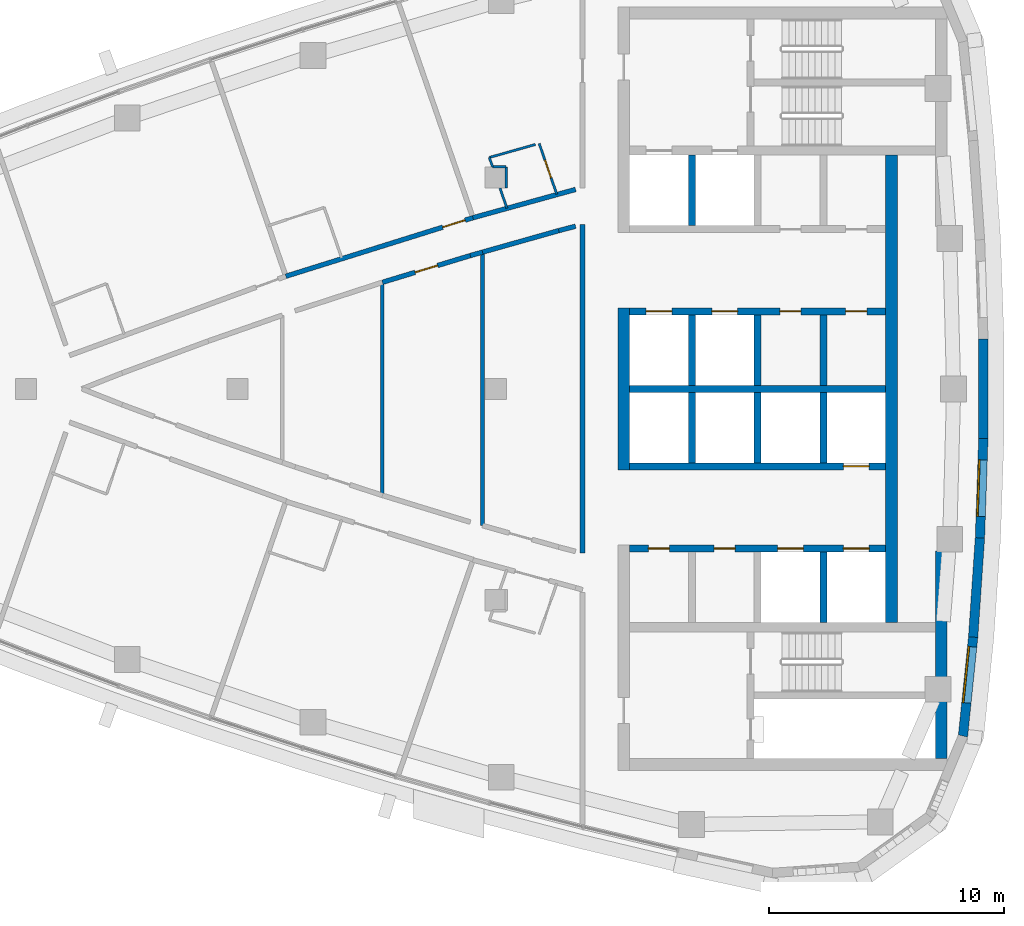
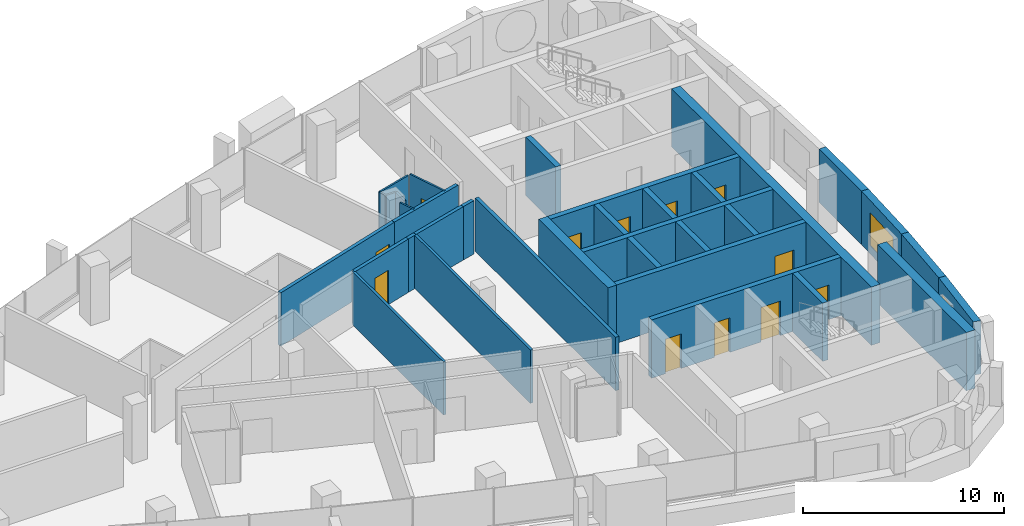
# One storey, part 9 of 15: 34 walls, 12 doors, 2 windows, 14 openings.
"""IFC4 building model written with IfcOpenShell, lengths in metres."""

from ifc_helpers import new_model, si_unit, direction, frame, frame_2d, origin, place, context, subcontext, project, spatial, polyline, rectangle, outline, extrude, material, layer, layer_set, type_object, element, fill, save


model = new_model("IFC4")

# Units and contexts
model_context = context("Model", 3, precision=1e-05, world=origin(), true_north=direction((0.0, 1.0)))
body_context = subcontext(model_context, "Body", "Model", "MODEL_VIEW")
ifc_project = project(units=[si_unit("LENGTHUNIT", "METRE"), si_unit("AREAUNIT", "SQUARE_METRE"), si_unit("VOLUMEUNIT", "CUBIC_METRE"), si_unit("PLANEANGLEUNIT", "RADIAN"), si_unit("MASSUNIT", "GRAM", prefix="KILO")], contexts=[model_context])

# Site, building, storey
site_placement = place(None, origin())
site = spatial("IfcSite", under=ifc_project, at=site_placement, CompositionType="ELEMENT")
building_placement = place(site_placement, origin())
building = spatial("IfcBuilding", under=site, at=building_placement, Name="Ostrand Prow Hotel Tower", CompositionType="ELEMENT")
storey_placement = place(building_placement, frame((0.0, 0.0, 292.75)))
storey = spatial("IfcBuildingStorey", under=building, at=storey_placement, Name="L74", CompositionType="ELEMENT", Elevation=292.75)

# Wall
ifc_material_1 = material(Name="Concrete C50/60", Category="concrete")
ifc_layer_1 = layer(ifc_material_1, 0.300048828125)
ifc_layer_set_1 = layer_set([ifc_layer_1], Name="Concrete C50/60")
wall_type_1 = type_object("IfcWallType", Name="Core wall 300 C50/60", PredefinedType="SHEAR", material=ifc_layer_set_1)
wall_1_placement = place(storey_placement, frame((50.699951171875, 0.0, 0.0), z_axis=(0.0, 0.0, 1.0), x_axis=(1.0, 0.0, 0.0)))
element("IfcWall", 1, at=wall_1_placement, inside=storey, type_object=wall_type_1, Name="Core wall PW-C", PredefinedType="SHEAR", context=body_context, shape_type="SweptSolid", body=[
    extrude(rectangle(XDim=10.900146484375, YDim=0.300048828125, at=frame_2d((5.4501953125, 0.0))), origin(), (0.0, 0.0, 1.0), 3.550048828125),
])

# Wall, openings, doors
wall_2_placement = place(storey_placement, frame((50.699951171875, 3.300048828125, 0.0), z_axis=(0.0, 0.0, 1.0), x_axis=(1.0, 0.0, 0.0)))
wall_2 = element("IfcWall", 2, at=wall_2_placement, inside=storey, type_object=wall_type_1, Name="Core wall PW-L1-N", PredefinedType="SHEAR", context=body_context, shape_type="SweptSolid", body=[
    extrude(rectangle(XDim=10.900146484375, YDim=0.300048828125, at=frame_2d((5.4501953125, 0.0))), origin(), (0.0, 0.0, 1.0), 3.550048828125),
])
opening_1_placement = place(wall_2_placement, frame((0.699951171875, 0.0, 0.0)))
opening_1 = element("IfcOpeningElement", 3, at=opening_1_placement, cuts=wall_2, Name="Opening LD", PredefinedType="OPENING", context=body_context, shape_type="SweptSolid", body=[
    extrude(rectangle(XDim=1.10009765625, YDim=2.10009765625, at=frame_2d((0.550048828125, 1.050048828125))), frame((0.0, 0.159912109375, 0.0), z_axis=(0.0, -1.0, 0.0), x_axis=(1.0, 0.0, 0.0)), (0.0, 0.0, 1.0), 0.320068359375),
])
opening_2_placement = place(wall_2_placement, frame((3.5, 0.0, 0.0)))
opening_2 = element("IfcOpeningElement", 4, at=opening_2_placement, cuts=wall_2, Name="Opening LD", PredefinedType="OPENING", context=body_context, shape_type="SweptSolid", body=[
    extrude(rectangle(XDim=1.10009765625, YDim=2.10009765625, at=frame_2d((0.550048828125, 1.050048828125))), frame((0.0, 0.159912109375, 0.0), z_axis=(0.0, -1.0, 0.0), x_axis=(1.0, 0.0, 0.0)), (0.0, 0.0, 1.0), 0.320068359375),
])
opening_3_placement = place(wall_2_placement, frame((6.39990234375, 0.0, 0.0)))
opening_3 = element("IfcOpeningElement", 5, at=opening_3_placement, cuts=wall_2, Name="Opening FD2", PredefinedType="OPENING", context=body_context, shape_type="SweptSolid", body=[
    extrude(rectangle(XDim=0.89990234375, YDim=2.10009765625, at=frame_2d((0.449951171875, 1.050048828125))), frame((0.0, 0.159912109375, 0.0), z_axis=(0.0, -1.0, 0.0), x_axis=(1.0, 0.0, 0.0)), (0.0, 0.0, 1.0), 0.320068359375),
])
opening_4_placement = place(wall_2_placement, frame((9.199951171875, 0.0, 0.0)))
opening_4 = element("IfcOpeningElement", 6, at=opening_4_placement, cuts=wall_2, Name="Opening FD2", PredefinedType="OPENING", context=body_context, shape_type="SweptSolid", body=[
    extrude(rectangle(XDim=0.89990234375, YDim=2.10009765625, at=frame_2d((0.449951171875, 1.050048828125))), frame((0.0, 0.159912109375, 0.0), z_axis=(0.0, -1.0, 0.0), x_axis=(1.0, 0.0, 0.0)), (0.0, 0.0, 1.0), 0.320068359375),
])
ifc_material_2 = material(Name="Steel fire door", Category="steel")
door_type_1 = type_object("IfcDoorType", Name="Fire door 900 EI120", OperationType="SINGLE_SWING_LEFT", PredefinedType="DOOR", material=ifc_material_2)
door_1_placement = place(opening_3_placement, origin())
door_1 = element("IfcDoor", 7, at=door_1_placement, inside=storey, type_object=door_type_1, Name="DOOR", OperationType="SINGLE_SWING_LEFT", OverallHeight=2.10009765625, OverallWidth=0.89990234375, PredefinedType="DOOR", context=body_context, shape_type="SweptSolid", body=[
    extrude(rectangle(XDim=0.89990234375, YDim=2.10009765625, at=frame_2d((0.449951171875, 1.050048828125))), frame((0.0, 0.02490234375, 0.0), z_axis=(0.0, -1.0, 0.0), x_axis=(1.0, 0.0, 0.0)), (0.0, 0.0, 1.0), 0.050048828125),
])
fill(opening_3, door_1)
door_2_placement = place(opening_4_placement, origin())
door_2 = element("IfcDoor", 8, at=door_2_placement, inside=storey, type_object=door_type_1, Name="DOOR", OperationType="SINGLE_SWING_LEFT", OverallHeight=2.10009765625, OverallWidth=0.89990234375, PredefinedType="DOOR", context=body_context, shape_type="SweptSolid", body=[
    extrude(rectangle(XDim=0.89990234375, YDim=2.10009765625, at=frame_2d((0.449951171875, 1.050048828125))), frame((0.0, 0.02490234375, 0.0), z_axis=(0.0, -1.0, 0.0), x_axis=(1.0, 0.0, 0.0)), (0.0, 0.0, 1.0), 0.050048828125),
])
fill(opening_4, door_2)
ifc_material_3 = material(Name="Stainless steel door", Category="steel")
door_type_2 = type_object("IfcDoorType", Name="Lift landing door 1100", OperationType="DOUBLE_DOOR_SLIDING", PredefinedType="DOOR", material=ifc_material_3)
door_3_placement = place(opening_1_placement, origin())
door_3 = element("IfcDoor", 9, at=door_3_placement, inside=storey, type_object=door_type_2, Name="LIFT LANDING DOOR", OperationType="DOUBLE_DOOR_SLIDING", OverallHeight=2.10009765625, OverallWidth=1.10009765625, PredefinedType="DOOR", context=body_context, shape_type="SweptSolid", body=[
    extrude(rectangle(XDim=1.10009765625, YDim=2.10009765625, at=frame_2d((0.550048828125, 1.050048828125))), frame((0.0, 0.02490234375, 0.0), z_axis=(0.0, -1.0, 0.0), x_axis=(1.0, 0.0, 0.0)), (0.0, 0.0, 1.0), 0.050048828125),
])
fill(opening_1, door_3)
door_4_placement = place(opening_2_placement, origin())
door_4 = element("IfcDoor", 10, at=door_4_placement, inside=storey, type_object=door_type_2, Name="LIFT LANDING DOOR", OperationType="DOUBLE_DOOR_SLIDING", OverallHeight=2.10009765625, OverallWidth=1.10009765625, PredefinedType="DOOR", context=body_context, shape_type="SweptSolid", body=[
    extrude(rectangle(XDim=1.10009765625, YDim=2.10009765625, at=frame_2d((0.550048828125, 1.050048828125))), frame((0.0, 0.02490234375, 0.0), z_axis=(0.0, -1.0, 0.0), x_axis=(1.0, 0.0, 0.0)), (0.0, 0.0, 1.0), 0.050048828125),
])
fill(opening_2, door_4)

# Walls
for number, where, z_axis, x_axis, name in (
    (11, (53.35009765625, 0.14990234375, 0.0), (0.0, 0.0, 1.0), (0.0, 1.0, 0.0), "Core wall PW-R1-NB"),
    (12, (53.35009765625, 6.949951171875, 0.0), (0.0, 0.0, 1.0), (0.0, 1.0, 0.0), "Core wall PW-R1-NA"),
    (13, (56.14990234375, 0.14990234375, 0.0), (0.0, 0.0, 1.0), (0.0, 1.0, 0.0), "Core wall PW-R2-NB"),
    (14, (58.949951171875, 0.14990234375, 0.0), (0.0, 0.0, 1.0), (0.0, 1.0, 0.0), "Core wall PW-R3-NB"),
):
    element("IfcWall", number, at=place(storey_placement, frame(where, z_axis=z_axis, x_axis=x_axis)), inside=storey, type_object=wall_type_1, Name=name, PredefinedType="SHEAR", context=body_context, shape_type="SweptSolid", body=[
        extrude(rectangle(XDim=3.0, YDim=0.300048828125, at=frame_2d((1.5, 0.0))), origin(), (0.0, 0.0, 1.0), 3.550048828125),
    ])

# Wall, opening, door
wall_3_placement = place(storey_placement, frame((50.699951171875, -3.300048828125, 0.0), z_axis=(0.0, 0.0, 1.0), x_axis=(1.0, 0.0, 0.0)))
wall_3 = element("IfcWall", 15, at=wall_3_placement, inside=storey, type_object=wall_type_1, Name="Core wall PW-L1-S", PredefinedType="SHEAR", context=body_context, shape_type="SweptSolid", body=[
    extrude(rectangle(XDim=10.900146484375, YDim=0.300048828125, at=frame_2d((5.4501953125, 0.0))), origin(), (0.0, 0.0, 1.0), 3.550048828125),
])
opening_5_placement = place(wall_3_placement, frame((9.10009765625, 0.0, 0.0)))
opening_5 = element("IfcOpeningElement", 16, at=opening_5_placement, cuts=wall_3, Name="Opening LD", PredefinedType="OPENING", context=body_context, shape_type="SweptSolid", body=[
    extrude(rectangle(XDim=1.10009765625, YDim=2.10009765625, at=frame_2d((0.550048828125, 1.050048828125))), frame((0.0, 0.159912109375, 0.0), z_axis=(0.0, -1.0, 0.0), x_axis=(1.0, 0.0, 0.0)), (0.0, 0.0, 1.0), 0.320068359375),
])
door_5_placement = place(opening_5_placement, origin())
door_5 = element("IfcDoor", 17, at=door_5_placement, inside=storey, type_object=door_type_2, Name="LIFT LANDING DOOR", OperationType="DOUBLE_DOOR_SLIDING", OverallHeight=2.10009765625, OverallWidth=1.10009765625, PredefinedType="DOOR", context=body_context, shape_type="SweptSolid", body=[
    extrude(rectangle(XDim=1.10009765625, YDim=2.10009765625, at=frame_2d((0.550048828125, 1.050048828125))), frame((0.0, 0.02490234375, 0.0), z_axis=(0.0, -1.0, 0.0), x_axis=(1.0, 0.0, 0.0)), (0.0, 0.0, 1.0), 0.050048828125),
])
fill(opening_5, door_5)

# Wall, openings, doors
wall_4_placement = place(storey_placement, frame((50.699951171875, -6.800048828125, 0.0), z_axis=(0.0, 0.0, 1.0), x_axis=(1.0, 0.0, 0.0)))
wall_4 = element("IfcWall", 18, at=wall_4_placement, inside=storey, type_object=wall_type_1, Name="Core wall PW-L2-S", PredefinedType="SHEAR", context=body_context, shape_type="SweptSolid", body=[
    extrude(rectangle(XDim=10.900146484375, YDim=0.300048828125, at=frame_2d((5.4501953125, 0.0))), origin(), (0.0, 0.0, 1.0), 3.550048828125),
])
opening_6_placement = place(wall_4_placement, frame((6.300048828125, 0.0, 0.0)))
opening_6 = element("IfcOpeningElement", 19, at=opening_6_placement, cuts=wall_4, Name="Opening LD", PredefinedType="OPENING", context=body_context, shape_type="SweptSolid", body=[
    extrude(rectangle(XDim=1.10009765625, YDim=2.10009765625, at=frame_2d((0.550048828125, 1.050048828125))), frame((0.0, 0.159912109375, 0.0), z_axis=(0.0, -1.0, 0.0), x_axis=(1.0, 0.0, 0.0)), (0.0, 0.0, 1.0), 0.320068359375),
])
opening_7_placement = place(wall_4_placement, frame((9.10009765625, 0.0, 0.0)))
opening_7 = element("IfcOpeningElement", 20, at=opening_7_placement, cuts=wall_4, Name="Opening LD", PredefinedType="OPENING", context=body_context, shape_type="SweptSolid", body=[
    extrude(rectangle(XDim=1.10009765625, YDim=2.10009765625, at=frame_2d((0.550048828125, 1.050048828125))), frame((0.0, 0.159912109375, 0.0), z_axis=(0.0, -1.0, 0.0), x_axis=(1.0, 0.0, 0.0)), (0.0, 0.0, 1.0), 0.320068359375),
])
opening_8_placement = place(wall_4_placement, frame((0.800048828125, 0.0, 0.0)))
opening_8 = element("IfcOpeningElement", 21, at=opening_8_placement, cuts=wall_4, Name="Opening FD2", PredefinedType="OPENING", context=body_context, shape_type="SweptSolid", body=[
    extrude(rectangle(XDim=0.89990234375, YDim=2.10009765625, at=frame_2d((0.449951171875, 1.050048828125))), frame((0.0, 0.159912109375, 0.0), z_axis=(0.0, -1.0, 0.0), x_axis=(1.0, 0.0, 0.0)), (0.0, 0.0, 1.0), 0.320068359375),
])
opening_9_placement = place(wall_4_placement, frame((3.60009765625, 0.0, 0.0)))
opening_9 = element("IfcOpeningElement", 22, at=opening_9_placement, cuts=wall_4, Name="Opening FD2", PredefinedType="OPENING", context=body_context, shape_type="SweptSolid", body=[
    extrude(rectangle(XDim=0.89990234375, YDim=2.10009765625, at=frame_2d((0.449951171875, 1.050048828125))), frame((0.0, 0.159912109375, 0.0), z_axis=(0.0, -1.0, 0.0), x_axis=(1.0, 0.0, 0.0)), (0.0, 0.0, 1.0), 0.320068359375),
])
door_6_placement = place(opening_8_placement, origin())
door_6 = element("IfcDoor", 23, at=door_6_placement, inside=storey, type_object=door_type_1, Name="DOOR", OperationType="SINGLE_SWING_LEFT", OverallHeight=2.10009765625, OverallWidth=0.89990234375, PredefinedType="DOOR", context=body_context, shape_type="SweptSolid", body=[
    extrude(rectangle(XDim=0.89990234375, YDim=2.10009765625, at=frame_2d((0.449951171875, 1.050048828125))), frame((0.0, 0.02490234375, 0.0), z_axis=(0.0, -1.0, 0.0), x_axis=(1.0, 0.0, 0.0)), (0.0, 0.0, 1.0), 0.050048828125),
])
fill(opening_8, door_6)
door_7_placement = place(opening_9_placement, origin())
door_7 = element("IfcDoor", 24, at=door_7_placement, inside=storey, type_object=door_type_1, Name="DOOR", OperationType="SINGLE_SWING_LEFT", OverallHeight=2.10009765625, OverallWidth=0.89990234375, PredefinedType="DOOR", context=body_context, shape_type="SweptSolid", body=[
    extrude(rectangle(XDim=0.89990234375, YDim=2.10009765625, at=frame_2d((0.449951171875, 1.050048828125))), frame((0.0, 0.02490234375, 0.0), z_axis=(0.0, -1.0, 0.0), x_axis=(1.0, 0.0, 0.0)), (0.0, 0.0, 1.0), 0.050048828125),
])
fill(opening_9, door_7)
door_8_placement = place(opening_6_placement, origin())
door_8 = element("IfcDoor", 25, at=door_8_placement, inside=storey, type_object=door_type_2, Name="LIFT LANDING DOOR", OperationType="DOUBLE_DOOR_SLIDING", OverallHeight=2.10009765625, OverallWidth=1.10009765625, PredefinedType="DOOR", context=body_context, shape_type="SweptSolid", body=[
    extrude(rectangle(XDim=1.10009765625, YDim=2.10009765625, at=frame_2d((0.550048828125, 1.050048828125))), frame((0.0, 0.02490234375, 0.0), z_axis=(0.0, -1.0, 0.0), x_axis=(1.0, 0.0, 0.0)), (0.0, 0.0, 1.0), 0.050048828125),
])
fill(opening_6, door_8)
door_9_placement = place(opening_7_placement, origin())
door_9 = element("IfcDoor", 26, at=door_9_placement, inside=storey, type_object=door_type_2, Name="LIFT LANDING DOOR", OperationType="DOUBLE_DOOR_SLIDING", OverallHeight=2.10009765625, OverallWidth=1.10009765625, PredefinedType="DOOR", context=body_context, shape_type="SweptSolid", body=[
    extrude(rectangle(XDim=1.10009765625, YDim=2.10009765625, at=frame_2d((0.550048828125, 1.050048828125))), frame((0.0, 0.02490234375, 0.0), z_axis=(0.0, -1.0, 0.0), x_axis=(1.0, 0.0, 0.0)), (0.0, 0.0, 1.0), 0.050048828125),
])
fill(opening_7, door_9)

# Walls
for number, where, z_axis, x_axis, name in (
    (27, (53.35009765625, -3.14990234375, 0.0), (0.0, 0.0, 1.0), (0.0, 1.0, 0.0), "Core wall PW-R1-SB"),
    (28, (56.14990234375, -3.14990234375, 0.0), (0.0, 0.0, 1.0), (0.0, 1.0, 0.0), "Core wall PW-R2-SB"),
    (29, (58.949951171875, -3.14990234375, 0.0), (0.0, 0.0, 1.0), (0.0, 1.0, 0.0), "Core wall PW-R3-SB"),
    (30, (58.949951171875, -9.949951171875, 0.0), (0.0, 0.0, 1.0), (0.0, 1.0, 0.0), "Core wall PW-R3-SA"),
):
    element("IfcWall", number, at=place(storey_placement, frame(where, z_axis=z_axis, x_axis=x_axis)), inside=storey, type_object=wall_type_1, Name=name, PredefinedType="SHEAR", context=body_context, shape_type="SweptSolid", body=[
        extrude(rectangle(XDim=3.0, YDim=0.300048828125, at=frame_2d((1.5, 0.0))), origin(), (0.0, 0.0, 1.0), 3.550048828125),
    ])
ifc_material_4 = material(Name="Concrete C50/60", Category="concrete")
ifc_layer_2 = layer(ifc_material_4, 0.5)
ifc_layer_set_2 = layer_set([ifc_layer_2], Name="Concrete C50/60")
wall_type_2 = type_object("IfcWallType", Name="Core wall 500 C50/60", PredefinedType="SHEAR", material=ifc_layer_set_2)
wall_5_placement = place(storey_placement, frame((50.449951171875, -3.449951171875, 0.0), z_axis=(0.0, 0.0, 1.0), x_axis=(0.0, 1.0, 0.0)))
element("IfcWall", 31, at=wall_5_placement, inside=storey, type_object=wall_type_2, Name="Core wall CW-W-C", PredefinedType="SHEAR", context=body_context, shape_type="SweptSolid", body=[
    extrude(rectangle(XDim=6.89990234375, YDim=0.5, at=frame_2d((3.449951171875, 0.0))), origin(), (0.0, 0.0, 1.0), 3.550048828125),
])
wall_6_placement = place(storey_placement, frame((63.969970703125, -15.75, 0.0), z_axis=(0.0, 0.0, 1.0), x_axis=(0.0, 1.0, 0.0)))
element("IfcWall", 32, at=wall_6_placement, inside=storey, type_object=wall_type_2, Name="Core wall CW-E-S", PredefinedType="SHEAR", context=body_context, shape_type="SweptSolid", body=[
    extrude(rectangle(XDim=8.8466796875, YDim=0.5, at=frame_2d((4.42333984375, 0.0))), origin(), (0.0, 0.0, 1.0), 3.550048828125),
])
wall_7_placement = place(storey_placement, frame((61.85009765625, -9.949951171875, 0.0), z_axis=(0.0, 0.0, 1.0), x_axis=(0.0, 1.0, 0.0)))
element("IfcWall", 33, at=wall_7_placement, inside=storey, type_object=wall_type_2, Name="Core wall CW-E-C", PredefinedType="SHEAR", context=body_context, shape_type="SweptSolid", body=[
    extrude(rectangle(XDim=19.89990234375, YDim=0.5, at=frame_2d((9.949951171875, 0.0))), origin(), (0.0, 0.0, 1.0), 3.550048828125),
])
ifc_material_5 = material(Name="Plasterboard partition")
ifc_layer_3 = layer(ifc_material_5, 0.10009765625)
ifc_layer_set_3 = layer_set([ifc_layer_3], Name="Plasterboard partition")
wall_type_3 = type_object("IfcWallType", Name="Partition 100 bathroom wall", PredefinedType="PARTITIONING", material=ifc_layer_set_3)
wall_8_placement = place(storey_placement, frame((44.728759765625, 9.851806640625, 0.0), z_axis=(0.0, 0.0, 1.0), x_axis=(0.962405498185, 0.271616746654, 0.0)))
element("IfcWall", 34, at=wall_8_placement, inside=storey, type_object=wall_type_3, Name="BATHROOM WALL", PredefinedType="PARTITIONING", context=body_context, shape_type="SweptSolid", body=[
    extrude(rectangle(XDim=2.036865234375, YDim=0.10009765625, at=frame_2d((1.0185546875, 0.0))), origin(), (0.0, 0.0, 1.0), 3.25),
])

# Wall, opening, door
wall_9_placement = place(storey_placement, frame((46.850830078125, 10.447265625, 0.0), z_axis=(0.0, 0.0, 1.0), x_axis=(0.327716238033, -0.944776199599, 0.0)))
wall_9 = element("IfcWall", 35, at=wall_9_placement, inside=storey, type_object=wall_type_3, Name="BATHROOM WALL", PredefinedType="PARTITIONING", context=body_context, shape_type="SweptSolid", body=[
    extrude(rectangle(XDim=2.2841796875, YDim=0.10009765625, at=frame_2d((1.14208984375, 0.0))), origin(), (0.0, 0.0, 1.0), 3.25),
])
opening_10_placement = place(wall_9_placement, frame((0.75, 0.0, 0.0)))
opening_10 = element("IfcOpeningElement", 36, at=opening_10_placement, cuts=wall_9, Name="Opening D2", PredefinedType="OPENING", context=body_context, shape_type="SweptSolid", body=[
    extrude(rectangle(XDim=0.800048828125, YDim=2.10009765625, at=frame_2d((0.39990234375, 1.050048828125))), frame((0.0, 0.06005859375, 0.0), z_axis=(0.0, -1.0, 0.0), x_axis=(1.0, 0.0, 0.0)), (0.0, 0.0, 1.0), 0.1201171875),
])
ifc_material_6 = material(Name="Timber door leaf", Category="wood")
door_type_3 = type_object("IfcDoorType", Name="Bathroom door 800", OperationType="SINGLE_SWING_LEFT", PredefinedType="DOOR", material=ifc_material_6)
door_10_placement = place(opening_10_placement, origin())
door_10 = element("IfcDoor", 37, at=door_10_placement, inside=storey, type_object=door_type_3, Name="DOOR", OperationType="SINGLE_SWING_LEFT", OverallHeight=2.10009765625, OverallWidth=0.800048828125, PredefinedType="DOOR", context=body_context, shape_type="SweptSolid", body=[
    extrude(rectangle(XDim=0.800048828125, YDim=2.10009765625, at=frame_2d((0.39990234375, 1.050048828125))), frame((0.0, 0.02490234375, 0.0), z_axis=(0.0, -1.0, 0.0), x_axis=(1.0, 0.0, 0.0)), (0.0, 0.0, 1.0), 0.050048828125),
])
fill(opening_10, door_10)

# Walls
wall_10_placement = place(storey_placement, frame((45.476318359375, 7.697021484375, 0.0), z_axis=(0.0, 0.0, 1.0), x_axis=(-0.327723446833, 0.944773699039, 0.0)))
element("IfcWall", 38, at=wall_10_placement, inside=storey, type_object=wall_type_3, Name="BATHROOM WALL", PredefinedType="PARTITIONING", context=body_context, shape_type="SweptSolid", body=[
    extrude(rectangle(XDim=0.90283203125, YDim=0.10009765625, at=frame_2d((0.451416015625, 0.0))), origin(), (0.0, 0.0, 1.0), 3.25),
])
wall_11_placement = place(storey_placement, frame((45.449951171875, 8.552001953125, 0.0), z_axis=(0.0, 0.0, 1.0), x_axis=(0.0, 1.0, 0.0)))
element("IfcWall", 39, at=wall_11_placement, inside=storey, type_object=wall_type_3, Name="BATHROOM WALL", PredefinedType="PARTITIONING", context=body_context, shape_type="SweptSolid", body=[
    extrude(rectangle(XDim=0.89599609375, YDim=0.10009765625, at=frame_2d((0.447998046875, 0.0))), origin(), (0.0, 0.0, 1.0), 3.25),
])
wall_12_placement = place(storey_placement, frame((45.447998046875, 9.449951171875, 0.0), z_axis=(0.0, 0.0, 1.0), x_axis=(-1.0, 0.0, 0.0)))
element("IfcWall", 40, at=wall_12_placement, inside=storey, type_object=wall_type_3, Name="BATHROOM WALL", PredefinedType="PARTITIONING", context=body_context, shape_type="SweptSolid", body=[
    extrude(rectangle(XDim=0.579833984375, YDim=0.10009765625, at=frame_2d((0.2900390625, 0.0))), origin(), (0.0, 0.0, 1.0), 3.25),
])
wall_13_placement = place(storey_placement, frame((44.8681640625, 9.449951171875, 0.0), z_axis=(0.0, 0.0, 1.0), x_axis=(-0.327741335839, 0.944767493504, 0.0)))
element("IfcWall", 41, at=wall_13_placement, inside=storey, type_object=wall_type_3, Name="BATHROOM WALL", PredefinedType="PARTITIONING", context=body_context, shape_type="SweptSolid", body=[
    extrude(rectangle(XDim=0.42529296875, YDim=0.10009765625, at=frame_2d((0.212646484375, 0.0))), origin(), (0.0, 0.0, 1.0), 3.25),
])
ifc_material_7 = material(Name="Plasterboard partition")
ifc_layer_4 = layer(ifc_material_7, 0.14990234375)
ifc_layer_set_4 = layer_set([ifc_layer_4], Name="Plasterboard partition")
wall_type_4 = type_object("IfcWallType", Name="Partition 150 room partition", PredefinedType="PARTITIONING", material=ifc_layer_set_4)
wall_14_placement = place(storey_placement, frame((40.17431640625, -4.535888671875, 0.0), z_axis=(0.0, 0.0, 1.0), x_axis=(0.0, 1.0, 0.0)))
element("IfcWall", 42, at=wall_14_placement, inside=storey, type_object=wall_type_4, Name="ROOM PARTITION", PredefinedType="PARTITIONING", context=body_context, shape_type="SweptSolid", body=[
    extrude(rectangle(XDim=9.07177734375, YDim=0.14990234375, at=frame_2d((4.535888671875, 0.0))), origin(), (0.0, 0.0, 1.0), 3.25),
])
wall_15_placement = place(storey_placement, frame((44.43701171875, -5.821044921875, 0.0), z_axis=(0.0, 0.0, 1.0), x_axis=(0.0, 1.0, 0.0)))
element("IfcWall", 43, at=wall_15_placement, inside=storey, type_object=wall_type_4, Name="ROOM PARTITION", PredefinedType="PARTITIONING", context=body_context, shape_type="SweptSolid", body=[
    extrude(rectangle(XDim=11.64208984375, YDim=0.14990234375, at=frame_2d((5.821044921875, 0.0))), origin(), (0.0, 0.0, 1.0), 3.25),
])

# Wall, opening, door
ifc_material_8 = material(Name="Plasterboard partition")
ifc_layer_5 = layer(ifc_material_8, 0.199951171875)
ifc_layer_set_5 = layer_set([ifc_layer_5], Name="Plasterboard partition")
wall_type_5 = type_object("IfcWallType", Name="Partition 200 corridor wall", PredefinedType="PARTITIONING", material=ifc_layer_set_5)
wall_16_placement = place(storey_placement, frame((44.03125, 7.285888671875, 0.0), z_axis=(0.0, 0.0, 1.0), x_axis=(-0.95441177989, -0.29849313963, 0.0)))
wall_16 = element("IfcWall", 44, at=wall_16_placement, inside=storey, type_object=wall_type_5, Name="CORRIDOR WALL", PredefinedType="PARTITIONING", context=body_context, shape_type="SweptSolid", body=[
    extrude(rectangle(XDim=8.34765625, YDim=0.199951171875, at=frame_2d((4.173828125, 0.0))), origin(), (0.0, 0.0, 1.0), 3.25),
])
opening_11_placement = place(wall_16_placement, frame((0.35009765625, 0.0, 0.0)))
opening_11 = element("IfcOpeningElement", 45, at=opening_11_placement, cuts=wall_16, Name="Opening D1R", PredefinedType="OPENING", context=body_context, shape_type="SweptSolid", body=[
    extrude(rectangle(XDim=1.0, YDim=2.10009765625, at=frame_2d((0.5, 1.050048828125))), frame((0.0, 0.10986328125, 0.0), z_axis=(0.0, -1.0, 0.0), x_axis=(1.0, 0.0, 0.0)), (0.0, 0.0, 1.0), 0.219970703125),
])
ifc_material_9 = material(Name="Timber door leaf", Category="wood")
door_type_4 = type_object("IfcDoorType", Name="Guest room door 1000 right", OperationType="SINGLE_SWING_RIGHT", PredefinedType="DOOR", material=ifc_material_9)
door_11_placement = place(opening_11_placement, origin())
door_11 = element("IfcDoor", 46, at=door_11_placement, inside=storey, type_object=door_type_4, Name="DOOR", OperationType="SINGLE_SWING_RIGHT", OverallHeight=2.10009765625, OverallWidth=1.0, PredefinedType="DOOR", context=body_context, shape_type="SweptSolid", body=[
    extrude(rectangle(XDim=1.0, YDim=2.10009765625, at=frame_2d((0.5, 1.050048828125))), frame((0.0, 0.02490234375, 0.0), z_axis=(0.0, -1.0, 0.0), x_axis=(1.0, 0.0, 0.0)), (0.0, 0.0, 1.0), 0.050048828125),
])
fill(opening_11, door_11)

wall_17_placement = place(storey_placement, frame((40.1748046875, 4.5361328125, 0.0), z_axis=(0.0, 0.0, 1.0), x_axis=(0.956723737069, 0.29099775073, 0.0)))
wall_17 = element("IfcWall", 47, at=wall_17_placement, inside=storey, type_object=wall_type_5, Name="CORRIDOR WALL", PredefinedType="PARTITIONING", context=body_context, shape_type="SweptSolid", body=[
    extrude(rectangle(XDim=3.9130859375, YDim=0.199951171875, at=frame_2d((1.95654296875, 0.0))), origin(), (0.0, 0.0, 1.0), 3.25),
])
opening_12_placement = place(wall_17_placement, frame((1.45654296875, 0.0, 0.0)))
opening_12 = element("IfcOpeningElement", 48, at=opening_12_placement, cuts=wall_17, Name="Opening D1R", PredefinedType="OPENING", context=body_context, shape_type="SweptSolid", body=[
    extrude(rectangle(XDim=1.0, YDim=2.10009765625, at=frame_2d((0.5, 1.050048828125))), frame((0.0, 0.10986328125, 0.0), z_axis=(0.0, -1.0, 0.0), x_axis=(1.0, 0.0, 0.0)), (0.0, 0.0, 1.0), 0.219970703125),
])
door_12_placement = place(opening_12_placement, origin())
door_12 = element("IfcDoor", 49, at=door_12_placement, inside=storey, type_object=door_type_4, Name="DOOR", OperationType="SINGLE_SWING_RIGHT", OverallHeight=2.10009765625, OverallWidth=1.0, PredefinedType="DOOR", context=body_context, shape_type="SweptSolid", body=[
    extrude(rectangle(XDim=1.0, YDim=2.10009765625, at=frame_2d((0.5, 1.050048828125))), frame((0.0, 0.02490234375, 0.0), z_axis=(0.0, -1.0, 0.0), x_axis=(1.0, 0.0, 0.0)), (0.0, 0.0, 1.0), 0.050048828125),
])
fill(opening_12, door_12)

# Walls
wall_18_placement = place(storey_placement, frame((44.43701171875, 5.821044921875, 0.0), z_axis=(0.0, 0.0, 1.0), x_axis=(0.962403613575, 0.271623424206, 0.0)))
element("IfcWall", 50, at=wall_18_placement, inside=storey, type_object=wall_type_5, Name="CORRIDOR WALL", PredefinedType="PARTITIONING", context=body_context, shape_type="SweptSolid", body=[
    extrude(rectangle(XDim=3.374267578125, YDim=0.199951171875, at=frame_2d((1.68701171875, 0.0))), origin(), (0.0, 0.0, 1.0), 3.25),
])
wall_19_placement = place(storey_placement, frame((48.39990234375, 8.490478515625, 0.0), z_axis=(0.0, 0.0, 1.0), x_axis=(-0.964024043021, -0.265815056905, 0.0)))
element("IfcWall", 51, at=wall_19_placement, inside=storey, type_object=wall_type_5, Name="CORRIDOR WALL", PredefinedType="PARTITIONING", context=body_context, shape_type="SweptSolid", body=[
    extrude(rectangle(XDim=4.53173828125, YDim=0.199951171875, at=frame_2d((2.265869140625, 0.0))), origin(), (0.0, 0.0, 1.0), 3.25),
])
wall_20_placement = place(storey_placement, frame((47.684326171875, 6.737548828125, 0.0), z_axis=(0.0, 0.0, 1.0), x_axis=(0.967585713416, 0.252542842294, 0.0)))
element("IfcWall", 52, at=wall_20_placement, inside=storey, type_object=wall_type_5, Name="CORRIDOR WALL", PredefinedType="PARTITIONING", context=body_context, shape_type="SweptSolid", body=[
    extrude(rectangle(XDim=0.739501953125, YDim=0.199951171875, at=frame_2d((0.36962890625, 0.0))), origin(), (0.0, 0.0, 1.0), 3.25),
])
wall_21_placement = place(storey_placement, frame((48.695068359375, 6.995849609375, 0.0), z_axis=(0.0, 0.0, 1.0), x_axis=(0.0, -1.0, 0.0)))
element("IfcWall", 53, at=wall_21_placement, inside=storey, type_object=wall_type_5, Name="CORRIDOR WALL", PredefinedType="PARTITIONING", context=body_context, shape_type="SweptSolid", body=[
    extrude(rectangle(XDim=13.99169921875, YDim=0.199951171875, at=frame_2d((6.995849609375, 0.0))), origin(), (0.0, 0.0, 1.0), 3.25),
])
wall_22_placement = place(storey_placement, frame((43.91845703125, 5.6748046875, 0.0), z_axis=(0.0, 0.0, 1.0), x_axis=(0.9624587823, 0.271427876929, 0.0)))
element("IfcWall", 54, at=wall_22_placement, inside=storey, type_object=wall_type_5, Name="CORRIDOR WALL", PredefinedType="PARTITIONING", context=body_context, shape_type="SweptSolid", body=[
    extrude(rectangle(XDim=0.538818359375, YDim=0.199951171875, at=frame_2d((0.26953125, 0.0))), origin(), (0.0, 0.0, 1.0), 3.25),
])

# Wall, opening, window
ifc_material_10 = material(Name="Precast concrete C40/50", Category="concrete")
ifc_layer_6 = layer(ifc_material_10, 0.39990234375)
ifc_layer_set_6 = layer_set([ifc_layer_6], Name="Precast concrete C40/50")
wall_type_6 = type_object("IfcWallType", Name="Stone-faced precast wall 400 mm", PredefinedType="NOTDEFINED", material=ifc_layer_set_6)
wall_23_placement = place(storey_placement, frame((64.898193359375, -14.782470703125, 0.0), z_axis=(0.0, 0.0, 1.0), x_axis=(0.102249826987, 0.994758751096, 0.0)))
wall_23 = element("IfcWall", 55, at=wall_23_placement, inside=storey, type_object=wall_type_6, Name="Stone-faced wall back 5", PredefinedType="NOTDEFINED", context=body_context, shape_type="SweptSolid", body=[
    extrude(outline(polyline([(-0.029541015625, -0.199951171875), (4.23681640625, -0.199951171875), (4.22998046875, 0.199951171875), (0.029541015625, 0.199951171875), (-0.029541015625, -0.199951171875)])), origin(), (0.0, 0.0, 1.0), 3.25),
])
opening_13_placement = place(wall_23_placement, frame((1.416748046875, 0.0, 0.5)))
opening_13 = element("IfcOpeningElement", 56, at=opening_13_placement, cuts=wall_23, Name="Opening WA1", PredefinedType="OPENING", context=body_context, shape_type="SweptSolid", body=[
    extrude(rectangle(XDim=2.39990234375, YDim=2.0, at=frame_2d((1.199951171875, 1.0))), frame((0.0, 0.2099609375, 0.0), z_axis=(0.0, -1.0, 0.0), x_axis=(1.0, 0.0, 0.0)), (0.0, 0.0, 1.0), 0.419921875),
])
ifc_material_11 = material(Name="Insulated glass in bronze frame", Category="glass")
window_type = type_object("IfcWindowType", Name="Amenity picture window 2400x2000", PartitioningType="SINGLE_PANEL", PredefinedType="WINDOW", material=ifc_material_11)
window_1_placement = place(opening_13_placement, origin())
window_1 = element("IfcWindow", 57, at=window_1_placement, inside=storey, type_object=window_type, Name="Window back 5.1", OverallHeight=2.0, OverallWidth=2.39990234375, PartitioningType="SINGLE_PANEL", PredefinedType="WINDOW", context=body_context, shape_type="SweptSolid", body=[
    extrude(rectangle(XDim=2.39990234375, YDim=2.0, at=frame_2d((1.199951171875, 1.0))), frame((0.0, 0.169921875, 0.0), z_axis=(0.0, -1.0, 0.0), x_axis=(1.0, 0.0, 0.0)), (0.0, 0.0, 1.0), 0.06005859375),
])
fill(opening_13, window_1)

# Wall
wall_24_placement = place(storey_placement, frame((65.3310546875, -10.5712890625, 0.0), z_axis=(0.0, 0.0, 1.0), x_axis=(0.068279584479, 0.997666225921, 0.0)))
element("IfcWall", 58, at=wall_24_placement, inside=storey, type_object=wall_type_6, Name="Stone-faced wall back 6", PredefinedType="NOTDEFINED", context=body_context, shape_type="SweptSolid", body=[
    extrude(outline(polyline([(-0.00341796875, -0.199951171875), (4.23681640625, -0.199951171875), (4.22998046875, 0.199951171875), (0.00341796875, 0.199951171875), (-0.00341796875, -0.199951171875)])), origin(), (0.0, 0.0, 1.0), 3.25),
])

# Wall, opening, window
wall_25_placement = place(storey_placement, frame((65.6201171875, -6.34765625, 0.0), z_axis=(0.0, 0.0, 1.0), x_axis=(0.034082898699, 0.999419009233, 0.0)))
wall_25 = element("IfcWall", 59, at=wall_25_placement, inside=storey, type_object=wall_type_6, Name="Stone-faced wall back 7", PredefinedType="NOTDEFINED", context=body_context, shape_type="SweptSolid", body=[
    extrude(outline(polyline([(-0.00341796875, -0.199951171875), (4.23681640625, -0.199951171875), (4.22998046875, 0.199951171875), (0.00341796875, 0.199951171875), (-0.00341796875, -0.199951171875)])), origin(), (0.0, 0.0, 1.0), 3.25),
])
opening_14_placement = place(wall_25_placement, frame((0.916748046875, 0.0, 0.5)))
opening_14 = element("IfcOpeningElement", 60, at=opening_14_placement, cuts=wall_25, Name="Opening WA1", PredefinedType="OPENING", context=body_context, shape_type="SweptSolid", body=[
    extrude(rectangle(XDim=2.39990234375, YDim=2.0, at=frame_2d((1.199951171875, 1.0))), frame((0.0, 0.2099609375, 0.0), z_axis=(0.0, -1.0, 0.0), x_axis=(1.0, 0.0, 0.0)), (0.0, 0.0, 1.0), 0.419921875),
])
window_2_placement = place(opening_14_placement, origin())
window_2 = element("IfcWindow", 61, at=window_2_placement, inside=storey, type_object=window_type, Name="Window back 7.1", OverallHeight=2.0, OverallWidth=2.39990234375, PartitioningType="SINGLE_PANEL", PredefinedType="WINDOW", context=body_context, shape_type="SweptSolid", body=[
    extrude(rectangle(XDim=2.39990234375, YDim=2.0, at=frame_2d((1.199951171875, 1.0))), frame((0.0, 0.169921875, 0.0), z_axis=(0.0, -1.0, 0.0), x_axis=(1.0, 0.0, 0.0)), (0.0, 0.0, 1.0), 0.06005859375),
])
fill(opening_14, window_2)

# Wall
wall_26_placement = place(storey_placement, frame((65.764404296875, -2.11669921875, 0.0), z_axis=(0.0, 0.0, 1.0), x_axis=(0.0, 1.0, 0.0)))
element("IfcWall", 62, at=wall_26_placement, inside=storey, type_object=wall_type_6, Name="Stone-faced wall back 8", PredefinedType="NOTDEFINED", context=body_context, shape_type="SweptSolid", body=[
    extrude(outline(polyline([(-0.00341796875, -0.199951171875), (4.23681640625, -0.199951171875), (4.22998046875, 0.199951171875), (0.00341796875, 0.199951171875), (-0.00341796875, -0.199951171875)])), origin(), (0.0, 0.0, 1.0), 3.25),
])

save(model, "model.ifc")
